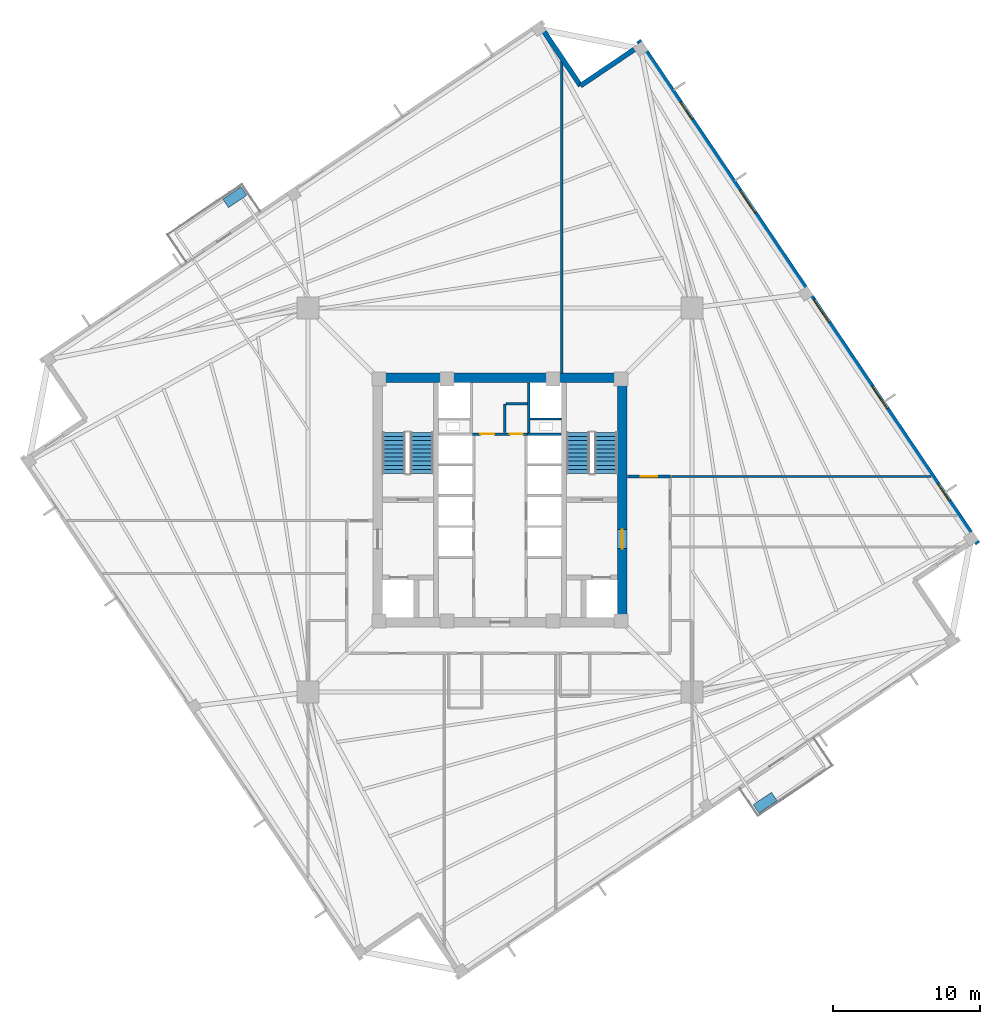
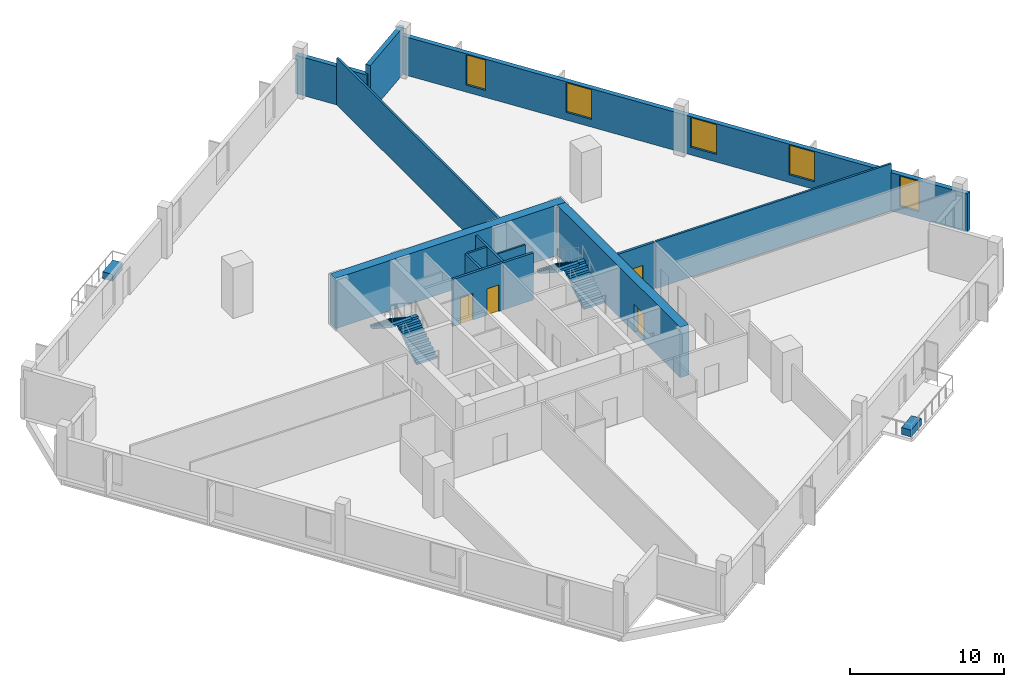
# One storey, part 5 of 8: 14 walls, 5 windows, 4 doors, 4 stair flights, 2 discrete accessories, 9 openings, 2 elements without a shape of their own.
"""IFC4 building model written with IfcOpenShell, lengths in metres."""

from ifc_helpers import new_model, si_unit, direction, frame, frame_2d, origin, origin_2d, place, context, subcontext, project, spatial, polyline, rectangle, outline, extrude, source, transform, mapped, material, layer, layer_set, type_object, element, fill, aggregate, save


model = new_model("IFC4")

# Units and contexts
model_context = context("Model", 3, precision=1e-05, world=origin(), true_north=direction((0.0, 1.0)))
body_context = subcontext(model_context, "Body", "Model", "MODEL_VIEW")
ifc_project = project(units=[si_unit("LENGTHUNIT", "METRE"), si_unit("AREAUNIT", "SQUARE_METRE"), si_unit("VOLUMEUNIT", "CUBIC_METRE"), si_unit("PLANEANGLEUNIT", "RADIAN"), si_unit("MASSUNIT", "GRAM", prefix="KILO"), si_unit("THERMODYNAMICTEMPERATUREUNIT", "KELVIN")], contexts=[model_context])

# Site, building, storey
site_placement = place(None, origin())
site = spatial("IfcSite", under=ifc_project, at=site_placement, CompositionType="ELEMENT")
building_placement = place(site_placement, origin())
building = spatial("IfcBuilding", under=site, at=building_placement, Name="Kosmvard Interchange Tower", CompositionType="ELEMENT")
storey_placement = place(building_placement, frame((0.0, 0.0, 172.39990234375)))
storey = spatial("IfcBuildingStorey", under=building, at=storey_placement, Name="L41", CompositionType="ELEMENT", Elevation=172.39990234375)

# Walls
ifc_material_1 = material(Name="Acoustic gypsum partition system")
ifc_layer_1 = layer(ifc_material_1, 0.14990234375, Name="Acoustic gypsum partition system")
ifc_layer_set_1 = layer_set([ifc_layer_1], Name="Acoustic gypsum partition system")
wall_type_1 = type_object("IfcWallType", Name="Acoustic Suite & Meeting Partition 150", PredefinedType="PARTITIONING", material=ifc_layer_set_1)
wall_1_placement = place(storey_placement, frame((4.199951171875, 8.655029296875, 0.0), z_axis=(0.0, 0.0, 1.0), x_axis=(0.0, 1.0, 0.0)))
element("IfcWall", 1, at=wall_1_placement, inside=storey, type_object=wall_type_1, Name="L41 Room Partition 01.1", PredefinedType="PARTITIONING", context=body_context, shape_type="SweptSolid", body=[
    extrude(rectangle(XDim=21.286376953125, YDim=0.14990234375, at=frame_2d((10.64306640625, 0.0))), origin(), (0.0, 0.0, 1.0), 3.739990234375),
])
wall_2_placement = place(storey_placement, frame((11.695068359375, 1.60009765625, 0.0), z_axis=(0.0, 0.0, 1.0), x_axis=(1.0, 0.0, 0.0)))
element("IfcWall", 2, at=wall_2_placement, inside=storey, type_object=wall_type_1, Name="L41 Room Partition 04.1", PredefinedType="PARTITIONING", context=body_context, shape_type="SweptSolid", body=[
    extrude(rectangle(XDim=17.652587890625, YDim=0.14990234375, at=frame_2d((8.826171875, 0.0))), origin(), (0.0, 0.0, 1.0), 3.739990234375),
])
ifc_material_2 = material(Name="Fire-rated gypsum partition system")
ifc_layer_2 = layer(ifc_material_2, 0.159912109375, Name="Fire-rated gypsum partition system")
ifc_layer_set_2 = layer_set([ifc_layer_2], Name="Fire-rated gypsum partition system")
wall_type_2 = type_object("IfcWallType", Name="Core Compartment & Shuttle Lobby Partition 160", PredefinedType="PARTITIONING", material=ifc_layer_set_2)
wall_3_placement = place(storey_placement, frame((1.9599609375, 4.580078125, 0.0), z_axis=(0.0, 0.0, 1.0), x_axis=(0.0, 1.0, 0.0)))
element("IfcWall", 3, at=wall_3_placement, inside=storey, type_object=wall_type_2, Name="L41 North Core East Wall", PredefinedType="PARTITIONING", context=body_context, shape_type="SweptSolid", body=[
    extrude(rectangle(XDim=3.39990234375, YDim=0.159912109375, at=frame_2d((1.699951171875, 0.0))), origin(), (0.0, 0.0, 1.0), 3.739990234375),
])
ifc_material_3 = material(Name="Concrete blockwork masonry", Category="masonry")
ifc_layer_3 = layer(ifc_material_3, 0.159912109375, Name="Concrete blockwork masonry")
ifc_layer_set_3 = layer_set([ifc_layer_3], Name="Concrete blockwork masonry")
wall_type_3 = type_object("IfcWallType", Name="Core Enclosure Split Wall 160", PredefinedType="PARTITIONING", material=ifc_layer_set_3)
wall_4_placement = place(storey_placement, frame((0.320068359375, 4.60009765625, 0.0), z_axis=(0.0, 0.0, 1.0), x_axis=(0.0, 1.0, 0.0)))
element("IfcWall", 4, at=wall_4_placement, inside=storey, type_object=wall_type_3, Name="L41 Core K3 L-Wall 1", PredefinedType="PARTITIONING", context=body_context, shape_type="SweptSolid", body=[
    extrude(rectangle(XDim=1.949951171875, YDim=0.159912109375, at=frame_2d((0.97509765625, 0.0))), origin(), (0.0, 0.0, 1.0), 3.739990234375),
])
wall_5_placement = place(storey_placement, frame((0.39990234375, 6.550048828125, 0.0), z_axis=(0.0, 0.0, 1.0), x_axis=(1.0, 0.0, 0.0)))
element("IfcWall", 5, at=wall_5_placement, inside=storey, type_object=wall_type_3, Name="L41 Core K3 L-Wall 2", PredefinedType="PARTITIONING", context=body_context, shape_type="SweptSolid", body=[
    extrude(rectangle(XDim=1.460205078125, YDim=0.159912109375, at=frame_2d((0.72998046875, 0.0))), origin(), (0.0, 0.0, 1.0), 3.739990234375),
])

# Wall, openings, doors
ifc_layer_4 = layer(ifc_material_2, 0.179931640625, Name="Fire-rated gypsum partition system")
ifc_layer_set_4 = layer_set([ifc_layer_4], Name="Fire-rated gypsum partition system")
wall_type_4 = type_object("IfcWallType", Name="Corridor & Hotel Compartment Partition 180", PredefinedType="PARTITIONING", material=ifc_layer_set_4)
wall_6_placement = place(storey_placement, frame((-1.8798828125, 4.489990234375, 0.0), z_axis=(0.0, 0.0, 1.0), x_axis=(1.0, 0.0, 0.0)))
wall_6 = element("IfcWall", 6, at=wall_6_placement, inside=storey, type_object=wall_type_4, Name="L41 Lift Lobby North Partition", PredefinedType="PARTITIONING", context=body_context, shape_type="SweptSolid", body=[
    extrude(rectangle(XDim=3.759765625, YDim=0.179931640625, at=frame_2d((1.8798828125, 0.0))), origin(), (0.0, 0.0, 1.0), 3.739990234375),
])
opening_1_placement = place(wall_6_placement, frame((0.550048828125, 0.0, 0.0)))
opening_1 = element("IfcOpeningElement", 7, at=opening_1_placement, cuts=wall_6, Name="Opening L41-KD1", PredefinedType="OPENING", context=body_context, shape_type="SweptSolid", body=[
    extrude(rectangle(XDim=0.949951171875, YDim=2.10009765625, at=frame_2d((0.47509765625, 1.050048828125))), frame((0.0, 0.10009765625, 0.0), z_axis=(0.0, -1.0, 0.0), x_axis=(1.0, 0.0, 0.0)), (0.0, 0.0, 1.0), 0.199951171875),
])
opening_2_placement = place(wall_6_placement, frame((2.56005859375, 0.0, 0.0)))
opening_2 = element("IfcOpeningElement", 8, at=opening_2_placement, cuts=wall_6, Name="Opening L41-KD2", PredefinedType="OPENING", context=body_context, shape_type="SweptSolid", body=[
    extrude(rectangle(XDim=0.8798828125, YDim=2.10009765625, at=frame_2d((0.43994140625, 1.050048828125))), frame((0.0, 0.10009765625, 0.0), z_axis=(0.0, -1.0, 0.0), x_axis=(1.0, 0.0, 0.0)), (0.0, 0.0, 1.0), 0.199951171875),
])
ifc_material_4 = material(Name="Painted fire-rated timber leaf", Category="wood")
door_type_1 = type_object("IfcDoorType", Name="Core Service Fire Door 950x2100 EI30", OperationType="NOTDEFINED", PredefinedType="DOOR", material=ifc_material_4)
shared_shape_1 = source(origin(), body_context, "Body", "SweptSolid", [
    extrude(rectangle(XDim=0.949951171875, YDim=2.10009765625, at=frame_2d((0.47509765625, 1.050048828125))), frame((0.0, 0.02490234375, 0.0), z_axis=(0.0, -1.0, 0.0), x_axis=(1.0, 0.0, 0.0)), (0.0, 0.0, 1.0), 0.050048828125),
])
door_1_placement = place(opening_1_placement, origin())
door_1 = element("IfcDoor", 9, at=door_1_placement, inside=storey, type_object=door_type_1, Name="L41 Core Archive Store Door", OperationType="SINGLE_SWING_LEFT", OverallHeight=2.10009765625, OverallWidth=0.949951171875, PredefinedType="DOOR", context=body_context, shape_type="MappedRepresentation", body=[
    mapped(shared_shape_1, transform((0.0, 0.0, 0.0), scale=1.0)),
])
fill(opening_1, door_1)
door_type_2 = type_object("IfcDoorType", Name="Core Cupboard Fire Door 880x2100 EI30", OperationType="NOTDEFINED", PredefinedType="DOOR", material=ifc_material_4)
shared_shape_2 = source(origin(), body_context, "Body", "SweptSolid", [
    extrude(rectangle(XDim=0.8798828125, YDim=2.10009765625, at=frame_2d((0.43994140625, 1.050048828125))), frame((0.0, 0.02490234375, 0.0), z_axis=(0.0, -1.0, 0.0), x_axis=(1.0, 0.0, 0.0)), (0.0, 0.0, 1.0), 0.050048828125),
])
door_2_placement = place(opening_2_placement, origin())
door_2 = element("IfcDoor", 10, at=door_2_placement, inside=storey, type_object=door_type_2, Name="L41 Core Supplies Cupboard Door", OperationType="SINGLE_SWING_RIGHT", OverallHeight=2.10009765625, OverallWidth=0.8798828125, PredefinedType="DOOR", context=body_context, shape_type="MappedRepresentation", body=[
    mapped(shared_shape_2, transform((0.0, 0.0, 0.0), scale=1.0)),
])
fill(opening_2, door_2)

# Wall, opening, door
wall_7_placement = place(storey_placement, frame((8.699951171875, 1.60009765625, 0.0), z_axis=(0.0, 0.0, 1.0), x_axis=(1.0, 0.0, 0.0)))
wall_7 = element("IfcWall", 11, at=wall_7_placement, inside=storey, type_object=wall_type_4, Name="L41 Corridor Wall CNE", PredefinedType="PARTITIONING", context=body_context, shape_type="SweptSolid", body=[
    extrude(rectangle(XDim=2.900146484375, YDim=0.179931640625, at=frame_2d((1.4501953125, 0.0))), origin(), (0.0, 0.0, 1.0), 3.739990234375),
])
opening_3_placement = place(wall_7_placement, frame((0.89990234375, 0.0, 0.0)))
opening_3 = element("IfcOpeningElement", 12, at=opening_3_placement, cuts=wall_7, Name="Opening L41-D04", PredefinedType="OPENING", context=body_context, shape_type="SweptSolid", body=[
    extrude(rectangle(XDim=1.10009765625, YDim=2.199951171875, at=frame_2d((0.550048828125, 1.10009765625))), frame((0.0, 0.10009765625, 0.0), z_axis=(0.0, -1.0, 0.0), x_axis=(1.0, 0.0, 0.0)), (0.0, 0.0, 1.0), 0.199951171875),
])
ifc_material_5 = material(Name="Engineered oak fire-rated timber", Category="wood")
door_type_3 = type_object("IfcDoorType", Name="Office Suite Entrance Door 1100x2200 FD30S", OperationType="NOTDEFINED", PredefinedType="DOOR", material=ifc_material_5)
shared_shape_3 = source(origin(), body_context, "Body", "SweptSolid", [
    extrude(rectangle(XDim=1.10009765625, YDim=2.199951171875, at=frame_2d((0.550048828125, 1.10009765625))), frame((0.0, 0.02490234375, 0.0), z_axis=(0.0, -1.0, 0.0), x_axis=(1.0, 0.0, 0.0)), (0.0, 0.0, 1.0), 0.050048828125),
])
door_3_placement = place(opening_3_placement, origin())
door_3 = element("IfcDoor", 13, at=door_3_placement, inside=storey, type_object=door_type_3, Name="L41 North-East Open Trading Floor Door", OperationType="SINGLE_SWING_RIGHT", OverallHeight=2.199951171875, OverallWidth=1.10009765625, PredefinedType="DOOR", context=body_context, shape_type="MappedRepresentation", body=[
    mapped(shared_shape_3, transform((0.0, 0.0, 0.0), scale=1.0)),
])
fill(opening_3, door_3)

# Wall
ifc_material_6 = material(Name="Concrete C70/85", Category="concrete")
ifc_layer_5 = layer(ifc_material_6, 0.64990234375, Name="Concrete C70/85")
ifc_layer_set_5 = layer_set([ifc_layer_5], Name="Concrete C70/85")
wall_type_5 = type_object("IfcWallType", Name="Mid Core Shear Wall 650 C70/85", PredefinedType="SHEAR", material=ifc_layer_set_5)
wall_8_placement = place(storey_placement, frame((-8.64990234375, 8.324951171875, 0.0), z_axis=(0.0, 0.0, 1.0), x_axis=(1.0, 0.0, 0.0)))
element("IfcWall", 14, at=wall_8_placement, inside=storey, type_object=wall_type_5, Name="L41 Core Shear Wall CW-N", PredefinedType="SHEAR", context=body_context, shape_type="SweptSolid", body=[
    extrude(rectangle(XDim=17.2998046875, YDim=0.64990234375, at=frame_2d((8.64990234375, 0.0))), origin(), (0.0, 0.0, 1.0), 4.0),
])

# Wall, opening, door
wall_9_placement = place(storey_placement, frame((8.324951171875, -8.0, 0.0), z_axis=(0.0, 0.0, 1.0), x_axis=(0.0, 1.0, 0.0)))
wall_9 = element("IfcWall", 15, at=wall_9_placement, inside=storey, type_object=wall_type_5, Name="L41 Core Shear Wall CW-E", PredefinedType="SHEAR", context=body_context, shape_type="SweptSolid", body=[
    extrude(rectangle(XDim=16.0, YDim=0.64990234375, at=frame_2d((8.0, 0.0))), origin(), (0.0, 0.0, 1.0), 4.0),
])
opening_4_placement = place(wall_9_placement, frame((4.68994140625, 0.0, 0.0)))
opening_4 = element("IfcOpeningElement", 16, at=opening_4_placement, cuts=wall_9, Name="Opening L41-FD2", PredefinedType="OPENING", context=body_context, shape_type="SweptSolid", body=[
    extrude(rectangle(XDim=1.300048828125, YDim=2.199951171875, at=frame_2d((0.64990234375, 1.10009765625))), frame((0.0, 0.3349609375, 0.0), z_axis=(0.0, -1.0, 0.0), x_axis=(1.0, 0.0, 0.0)), (0.0, 0.0, 1.0), 0.669921875),
])
ifc_material_7 = material(Name="Painted fire-rated steel leaf", Category="steel")
door_type_4 = type_object("IfcDoorType", Name="Firefighting Lobby Door 1300x2200 EI60", OperationType="NOTDEFINED", PredefinedType="DOOR", material=ifc_material_7)
shared_shape_4 = source(origin(), body_context, "Body", "SweptSolid", [
    extrude(rectangle(XDim=1.300048828125, YDim=2.199951171875, at=frame_2d((0.64990234375, 1.10009765625))), frame((0.0, 0.02490234375, 0.0), z_axis=(0.0, -1.0, 0.0), x_axis=(1.0, 0.0, 0.0)), (0.0, 0.0, 1.0), 0.050048828125),
])
door_4_placement = place(opening_4_placement, origin())
door_4 = element("IfcDoor", 17, at=door_4_placement, inside=storey, type_object=door_type_4, Name="L41 Firefighting Lobby East Door", OperationType="SINGLE_SWING_RIGHT", OverallHeight=2.199951171875, OverallWidth=1.300048828125, PredefinedType="DOOR", context=body_context, shape_type="MappedRepresentation", body=[
    mapped(shared_shape_4, transform((0.0, 0.0, 0.0), scale=1.0)),
])
fill(opening_4, door_4)

# Wall, openings, windows
ifc_material_8 = material(Name="Precast concrete C45/55", Category="concrete")
ifc_layer_6 = layer(ifc_material_8, 0.340087890625, Name="Precast concrete C45/55")
ifc_layer_set_6 = layer_set([ifc_layer_6], Name="Precast concrete C45/55")
wall_type_6 = type_object("IfcWallType", Name="Mid Tower Precast Pier Wall 340 C45/55", PredefinedType="STANDARD", material=ifc_layer_set_6)
wall_10_placement = place(storey_placement, frame((32.55810546875, -2.971923828125, 0.0), z_axis=(0.0, 0.0, 1.0), x_axis=(-0.559194910251, 0.829036218961, 0.0)))
wall_10 = element("IfcWall", 18, at=wall_10_placement, inside=storey, type_object=wall_type_6, Name="L41 Precast Facade Wall F-E", PredefinedType="STANDARD", context=body_context, shape_type="SweptSolid", body=[
    extrude(rectangle(XDim=41.340087890625, YDim=0.340087890625, at=frame_2d((20.669921875, 0.0))), origin(), (0.0, 0.0, 1.0), 3.0400390625),
])
opening_5_placement = place(wall_10_placement, frame((3.5107421875, 0.0, 0.56005859375)))
opening_5 = element("IfcOpeningElement", 19, at=opening_5_placement, cuts=wall_10, Name="Opening L41-W06", PredefinedType="OPENING", context=body_context, shape_type="SweptSolid", body=[
    extrude(rectangle(XDim=1.39990234375, YDim=2.39990234375, at=frame_2d((0.699951171875, 1.199951171875))), frame((0.0, 0.18017578125, 0.0), z_axis=(0.0, -1.0, 0.0), x_axis=(1.0, 0.0, 0.0)), (0.0, 0.0, 1.0), 0.360107421875),
])
opening_6_placement = place(wall_10_placement, frame((11.063720703125, 0.0, 0.610107421875)))
opening_6 = element("IfcOpeningElement", 20, at=opening_6_placement, cuts=wall_10, Name="Opening L41-W07", PredefinedType="OPENING", context=body_context, shape_type="SweptSolid", body=[
    extrude(rectangle(XDim=1.85009765625, YDim=2.35009765625, at=frame_2d((0.925048828125, 1.175048828125))), frame((0.0, 0.18017578125, 0.0), z_axis=(0.0, -1.0, 0.0), x_axis=(1.0, 0.0, 0.0)), (0.0, 0.0, 1.0), 0.360107421875),
])
opening_7_placement = place(wall_10_placement, frame((18.168212890625, 0.0, 0.610107421875)))
opening_7 = element("IfcOpeningElement", 21, at=opening_7_placement, cuts=wall_10, Name="Opening L41-W08", PredefinedType="OPENING", context=body_context, shape_type="SweptSolid", body=[
    extrude(rectangle(XDim=1.85009765625, YDim=2.35009765625, at=frame_2d((0.925048828125, 1.175048828125))), frame((0.0, 0.18017578125, 0.0), z_axis=(0.0, -1.0, 0.0), x_axis=(1.0, 0.0, 0.0)), (0.0, 0.0, 1.0), 0.360107421875),
])
opening_8_placement = place(wall_10_placement, frame((27.186279296875, 0.0, 0.610107421875)))
opening_8 = element("IfcOpeningElement", 22, at=opening_8_placement, cuts=wall_10, Name="Opening L41-W09", PredefinedType="OPENING", context=body_context, shape_type="SweptSolid", body=[
    extrude(rectangle(XDim=1.85009765625, YDim=2.35009765625, at=frame_2d((0.925048828125, 1.175048828125))), frame((0.0, 0.18017578125, 0.0), z_axis=(0.0, -1.0, 0.0), x_axis=(1.0, 0.0, 0.0)), (0.0, 0.0, 1.0), 0.360107421875),
])
opening_9_placement = place(wall_10_placement, frame((34.852294921875, 0.0, 0.56005859375)))
opening_9 = element("IfcOpeningElement", 23, at=opening_9_placement, cuts=wall_10, Name="Opening L41-W10", PredefinedType="OPENING", context=body_context, shape_type="SweptSolid", body=[
    extrude(rectangle(XDim=1.39990234375, YDim=2.39990234375, at=frame_2d((0.699951171875, 1.199951171875))), frame((0.0, 0.18017578125, 0.0), z_axis=(0.0, -1.0, 0.0), x_axis=(1.0, 0.0, 0.0)), (0.0, 0.0, 1.0), 0.360107421875),
])
ifc_material_9 = material(Name="Low-E solar-control double glazing", Category="glass")
window_type_1 = type_object("IfcWindowType", Name="Notched Corner Feature Window 1400x2400", PartitioningType="SINGLE_PANEL", PredefinedType="WINDOW", material=ifc_material_9)
shared_shape_5 = source(origin(), body_context, "Body", "SweptSolid", [
    extrude(rectangle(XDim=1.39990234375, YDim=2.39990234375, at=frame_2d((0.699951171875, 1.199951171875))), frame((0.0, 0.030029296875, 0.0), z_axis=(0.0, -1.0, 0.0), x_axis=(1.0, 0.0, 0.0)), (0.0, 0.0, 1.0), 0.06005859375),
])
window_1_placement = place(opening_5_placement, origin())
window_1 = element("IfcWindow", 24, at=window_1_placement, inside=storey, type_object=window_type_1, Name="L41 Facade Punched Window 06", OverallHeight=2.39990234375, OverallWidth=1.39990234375, PartitioningType="SINGLE_PANEL", PredefinedType="WINDOW", context=body_context, shape_type="MappedRepresentation", body=[
    mapped(shared_shape_5, transform((0.0, 0.0, 0.0), scale=1.0)),
])
fill(opening_5, window_1)
window_2_placement = place(opening_9_placement, origin())
window_2 = element("IfcWindow", 25, at=window_2_placement, inside=storey, type_object=window_type_1, Name="L41 Facade Punched Window 10", OverallHeight=2.39990234375, OverallWidth=1.39990234375, PartitioningType="SINGLE_PANEL", PredefinedType="WINDOW", context=body_context, shape_type="MappedRepresentation", body=[
    mapped(shared_shape_5, transform((0.0, 0.0, 0.0), scale=1.0)),
])
fill(opening_9, window_2)
window_type_2 = type_object("IfcWindowType", Name="Zone 3 Office Punched Window 1850x2350", PartitioningType="SINGLE_PANEL", PredefinedType="WINDOW", material=ifc_material_9)
shared_shape_6 = source(origin(), body_context, "Body", "SweptSolid", [
    extrude(rectangle(XDim=1.85009765625, YDim=2.35009765625, at=frame_2d((0.925048828125, 1.175048828125))), frame((0.0, 0.030029296875, 0.0), z_axis=(0.0, -1.0, 0.0), x_axis=(1.0, 0.0, 0.0)), (0.0, 0.0, 1.0), 0.06005859375),
])
window_3_placement = place(opening_6_placement, origin())
window_3 = element("IfcWindow", 26, at=window_3_placement, inside=storey, type_object=window_type_2, Name="L41 Facade Punched Window 07", OverallHeight=2.35009765625, OverallWidth=1.85009765625, PartitioningType="SINGLE_PANEL", PredefinedType="WINDOW", context=body_context, shape_type="MappedRepresentation", body=[
    mapped(shared_shape_6, transform((0.0, 0.0, 0.0), scale=1.0)),
])
fill(opening_6, window_3)
window_4_placement = place(opening_7_placement, origin())
window_4 = element("IfcWindow", 27, at=window_4_placement, inside=storey, type_object=window_type_2, Name="L41 Facade Punched Window 08", OverallHeight=2.35009765625, OverallWidth=1.85009765625, PartitioningType="SINGLE_PANEL", PredefinedType="WINDOW", context=body_context, shape_type="MappedRepresentation", body=[
    mapped(shared_shape_6, transform((0.0, 0.0, 0.0), scale=1.0)),
])
fill(opening_7, window_4)
window_5_placement = place(opening_8_placement, origin())
window_5 = element("IfcWindow", 28, at=window_5_placement, inside=storey, type_object=window_type_2, Name="L41 Facade Punched Window 09", OverallHeight=2.35009765625, OverallWidth=1.85009765625, PartitioningType="SINGLE_PANEL", PredefinedType="WINDOW", context=body_context, shape_type="MappedRepresentation", body=[
    mapped(shared_shape_6, transform((0.0, 0.0, 0.0), scale=1.0)),
])
fill(opening_8, window_5)

# Walls
wall_11_placement = place(storey_placement, frame((9.631103515625, 31.018798828125, 0.0), z_axis=(0.0, 0.0, 1.0), x_axis=(-0.829025804298, -0.559210350234, 0.0)))
element("IfcWall", 29, at=wall_11_placement, inside=storey, type_object=wall_type_6, Name="L41 Precast Facade Wall N-NE1", PredefinedType="STANDARD", context=body_context, shape_type="SweptSolid", body=[
    extrude(rectangle(XDim=5.000244140625, YDim=0.340087890625, at=frame_2d((2.5, 0.0))), origin(), (0.0, 0.0, 1.0), 3.739990234375),
])
wall_12_placement = place(storey_placement, frame((5.48583984375, 28.22265625, 0.0), z_axis=(0.0, 0.0, 1.0), x_axis=(-0.559171107879, 0.82905227345, 0.0)))
element("IfcWall", 30, at=wall_12_placement, inside=storey, type_object=wall_type_6, Name="L41 Precast Facade Wall N-NE2", PredefinedType="STANDARD", context=body_context, shape_type="SweptSolid", body=[
    extrude(rectangle(XDim=5.169921875, YDim=0.340087890625, at=frame_2d((2.5849609375, 0.0))), origin(), (0.0, 0.0, 1.0), 3.0400390625),
])
ifc_layer_7 = layer(ifc_material_3, 0.179931640625, Name="Concrete blockwork masonry")
ifc_layer_set_7 = layer_set([ifc_layer_7], Name="Concrete blockwork masonry")
wall_type_7 = type_object("IfcWallType", Name="Riser & Lift Bank Divider Wall 180", PredefinedType="PARTITIONING", material=ifc_layer_set_7)
wall_13_placement = place(storey_placement, frame((1.889892578125, 4.489990234375, 0.0), z_axis=(0.0, 0.0, 1.0), x_axis=(1.0, 0.0, 0.0)))
element("IfcWall", 31, at=wall_13_placement, inside=storey, type_object=wall_type_7, Name="L41 East Bank Divider BD3", PredefinedType="PARTITIONING", context=body_context, shape_type="SweptSolid", body=[
    extrude(rectangle(XDim=2.280029296875, YDim=0.179931640625, at=frame_2d((1.14013671875, 0.0))), origin(), (0.0, 0.0, 1.0), 3.739990234375),
])
ifc_material_10 = material(Name="Fire-rated gypsum shaftwall system")
ifc_layer_8 = layer(ifc_material_10, 0.1201171875, Name="Fire-rated gypsum shaftwall system")
ifc_layer_set_8 = layer_set([ifc_layer_8], Name="Fire-rated gypsum shaftwall system")
wall_type_8 = type_object("IfcWallType", Name="Shaft & Riser Fire Partition 120 EI60", PredefinedType="PARTITIONING", material=ifc_layer_set_8)
wall_14_placement = place(storey_placement, frame((2.06005859375, 5.52001953125, 0.0), z_axis=(0.0, 0.0, 1.0), x_axis=(1.0, 0.0, 0.0)))
element("IfcWall", 32, at=wall_14_placement, inside=storey, type_object=wall_type_8, Name="L41 Riser Shaft Divider E", PredefinedType="PARTITIONING", context=body_context, shape_type="SweptSolid", body=[
    extrude(rectangle(XDim=2.099853515625, YDim=0.1201171875, at=frame_2d((1.0498046875, 0.0))), origin(), (0.0, 0.0, 1.0), 3.739990234375),
])

# Stair, stair flights
ifc_material_11 = material(Name="Concrete C50/60", Category="concrete")
stair_type = type_object("IfcStairType", Name="Dog-Leg Core Exit Stair H4000 C50/60", PredefinedType="HALF_TURN_STAIR", material=ifc_material_11)
stair_1_placement = place(storey_placement, origin())
stair_1 = element("IfcStair", 33, at=stair_1_placement, inside=storey, type_object=stair_type, Name="L41 Protected Exit Stair ST-1", PredefinedType="HALF_TURN_STAIR")
stair_flight_type = type_object("IfcStairFlightType", Name="Core Stair Flight W1550 H4000 C50/60", PredefinedType="STRAIGHT", material=ifc_material_11)
shared_shape_7 = source(origin(), body_context, "Body", "SweptSolid", [
    extrude(outline(polyline([(0.0, 0.0), (0.0, 0.181884765625), (0.280029296875, 0.181884765625), (0.280029296875, 0.363525390625), (0.56005859375, 0.363525390625), (0.56005859375, 0.54541015625), (0.840087890625, 0.54541015625), (0.840087890625, 0.727294921875), (1.1201171875, 0.727294921875), (1.1201171875, 0.9091796875), (1.39990234375, 0.9091796875), (1.39990234375, 1.0908203125), (1.679931640625, 1.0908203125), (1.679931640625, 1.272705078125), (1.9599609375, 1.272705078125), (1.9599609375, 1.45458984375), (2.239990234375, 1.45458984375), (2.239990234375, 1.636474609375), (2.52001953125, 1.636474609375), (2.52001953125, 1.818115234375), (2.800048828125, 1.818115234375), (2.800048828125, 2.0), (2.800048828125, 1.62744140625), (0.293701171875, 0.0), (0.0, 0.0)])), frame((0.0, 0.77490234375, 0.0), z_axis=(0.0, -1.0, 0.0), x_axis=(1.0, 0.0, 0.0)), (0.0, 0.0, 1.0), 1.550048828125),
])
stair_flight_1_placement = place(storey_placement, frame((-5.31494140625, 1.800048828125, 0.0), z_axis=(0.0, 0.0, 1.0), x_axis=(0.0, 1.0, 0.0)))
stair_flight_1 = element("IfcStairFlight", 34, at=stair_flight_1_placement, type_object=stair_flight_type, Name="ST-1 flight 1", NumberOfRisers=11, NumberOfTreads=10, PredefinedType="STRAIGHT", RiserHeight=0.181818182, TreadLength=0.28, context=body_context, shape_type="MappedRepresentation", body=[
    mapped(shared_shape_7, transform((0.0, 0.0, 0.0), scale=1.0)),
])
stair_flight_2_placement = place(storey_placement, frame((-7.22509765625, 4.60009765625, 2.0), z_axis=(0.0, 0.0, 1.0), x_axis=(0.0, -1.0, 0.0)))
stair_flight_2 = element("IfcStairFlight", 35, at=stair_flight_2_placement, type_object=stair_flight_type, Name="ST-1 flight 2", NumberOfRisers=11, NumberOfTreads=10, PredefinedType="STRAIGHT", RiserHeight=0.181818182, TreadLength=0.28, context=body_context, shape_type="MappedRepresentation", body=[
    mapped(shared_shape_7, transform((0.0, 0.0, 0.0), scale=1.0)),
])
aggregate(stair_1, [stair_flight_1, stair_flight_2])

stair_2_placement = place(storey_placement, origin())
stair_2 = element("IfcStair", 36, at=stair_2_placement, inside=storey, type_object=stair_type, Name="L41 Protected Exit Stair ST-2", PredefinedType="HALF_TURN_STAIR")
stair_flight_3_placement = place(storey_placement, frame((7.22509765625, 1.800048828125, 0.0), z_axis=(0.0, 0.0, 1.0), x_axis=(0.0, 1.0, 0.0)))
stair_flight_3 = element("IfcStairFlight", 37, at=stair_flight_3_placement, type_object=stair_flight_type, Name="ST-2 flight 1", NumberOfRisers=11, NumberOfTreads=10, PredefinedType="STRAIGHT", RiserHeight=0.181818182, TreadLength=0.28, context=body_context, shape_type="MappedRepresentation", body=[
    mapped(shared_shape_7, transform((0.0, 0.0, 0.0), scale=1.0)),
])
stair_flight_4_placement = place(storey_placement, frame((5.31494140625, 4.60009765625, 2.0), z_axis=(0.0, 0.0, 1.0), x_axis=(0.0, -1.0, 0.0)))
stair_flight_4 = element("IfcStairFlight", 38, at=stair_flight_4_placement, type_object=stair_flight_type, Name="ST-2 flight 2", NumberOfRisers=11, NumberOfTreads=10, PredefinedType="STRAIGHT", RiserHeight=0.181818182, TreadLength=0.28, context=body_context, shape_type="MappedRepresentation", body=[
    mapped(shared_shape_7, transform((0.0, 0.0, 0.0), scale=1.0)),
])
aggregate(stair_2, [stair_flight_3, stair_flight_4])

# Discrete accessories
ifc_material_12 = material(Name="Terracotta precast planter concrete C45/55", Category="masonry")
discrete_accessory_type = type_object("IfcDiscreteAccessoryType", Name="Precast Tree-Balcony & Terrace Planter Box", PredefinedType="USERDEFINED", material=ifc_material_12)
shared_shape_8 = source(origin(), body_context, "Body", "SweptSolid", [
    extrude(rectangle(XDim=1.5, YDim=0.699951171875, at=origin_2d()), origin(), (0.0, 0.0, 1.0), 0.550048828125),
])
for number, where, z_axis, x_axis, name in (
    (39, (18.0703125, -20.62060546875, 0.0), (0.0, 0.0, 1.0), (0.829037572555, 0.559192903471, 0.0), "L41 Balcony Tree Planter BAL-L41-SW"),
    (40, (-18.0703125, 20.62060546875, 0.0), (0.0, 0.0, 1.0), (0.829037572555, 0.559192903471, 0.0), "L41 Balcony Tree Planter BAL-L41-NE"),
):
    element("IfcDiscreteAccessory", number, at=place(storey_placement, frame(where, z_axis=z_axis, x_axis=x_axis)), inside=storey, type_object=discrete_accessory_type, Name=name, ObjectType="PLANTER", PredefinedType="USERDEFINED", context=body_context, shape_type="MappedRepresentation", body=[
        mapped(shared_shape_8, transform((0.0, 0.0, 0.0), scale=1.0)),
    ])

save(model, "model.ifc")
